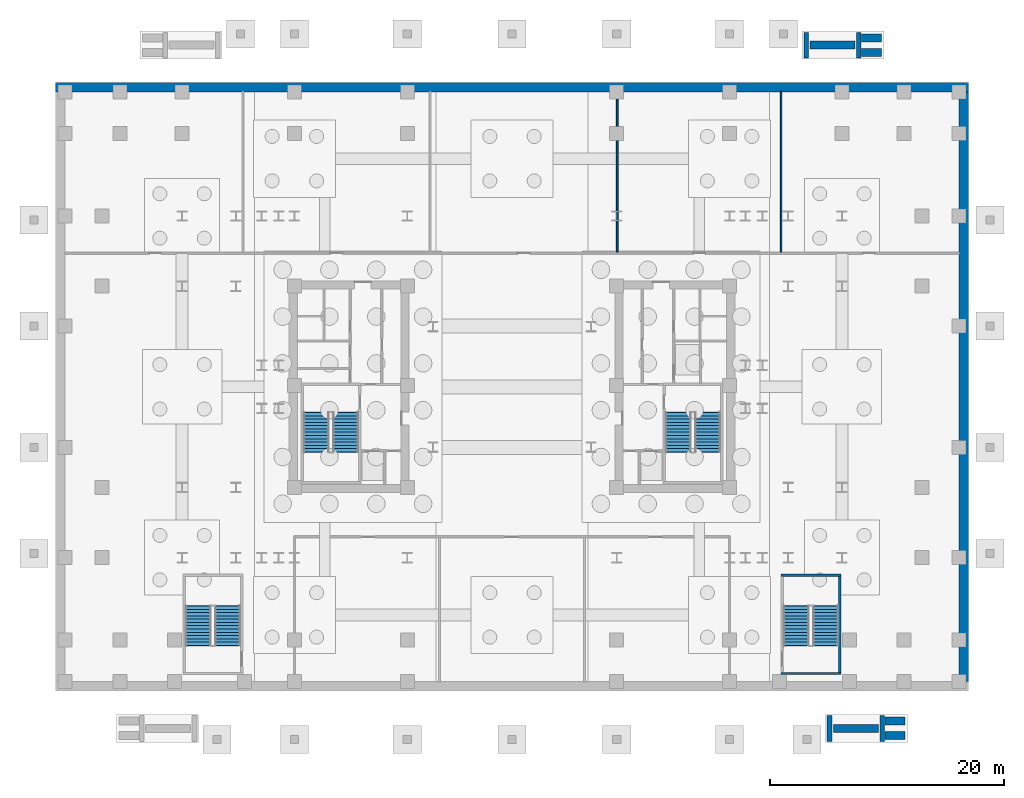
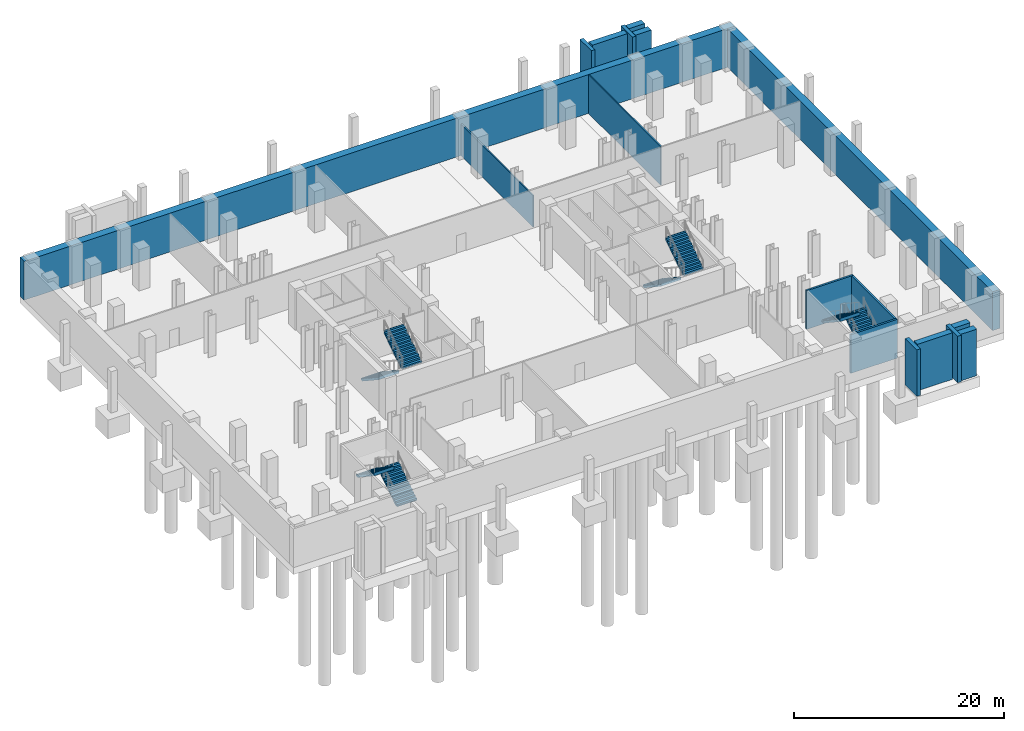
# One storey, part 7 of 10: 17 walls, 8 stair flights, 4 elements without a shape of their own.
"""IFC4 building model written with IfcOpenShell, lengths in metres."""

from ifc_helpers import new_model, si_unit, direction, frame, frame_2d, origin, place, context, subcontext, project, spatial, polyline, rectangle, outline, extrude, material, layer, layer_set, type_object, element, aggregate, save


model = new_model("IFC4")

# Units and contexts
model_context = context("Model", 3, precision=1e-05, world=origin(), true_north=direction((0.0, 1.0)))
body_context = subcontext(model_context, "Body", "Model", "MODEL_VIEW")
ifc_project = project(units=[si_unit("LENGTHUNIT", "METRE"), si_unit("AREAUNIT", "SQUARE_METRE"), si_unit("VOLUMEUNIT", "CUBIC_METRE"), si_unit("PLANEANGLEUNIT", "RADIAN"), si_unit("MASSUNIT", "GRAM", prefix="KILO")], contexts=[model_context])

# Site, building, storey
site_placement = place(None, origin())
site = spatial("IfcSite", under=ifc_project, at=site_placement, CompositionType="ELEMENT")
building_placement = place(site_placement, origin())
building = spatial("IfcBuilding", under=site, at=building_placement, Name="Velakula Bourse", CompositionType="ELEMENT")
storey_placement = place(building_placement, frame((0.0, 0.0, -9.60009765625)))
storey = spatial("IfcBuildingStorey", under=building, at=storey_placement, Name="B02", CompositionType="ELEMENT", Elevation=-9.60009765625)

# Walls
ifc_material_1 = material(Name="Concrete M50 (fck 50 MPa)", Category="concrete")
ifc_layer_1 = layer(ifc_material_1, 0.2099609375, Name="Concrete M50 (fck 50 MPa)", Category="concrete")
ifc_layer_set_1 = layer_set([ifc_layer_1], Name="Concrete M50 (fck 50 MPa)")
wall_type_1 = type_object("IfcWallType", Name="WL-CORE-210", PredefinedType="SHEAR", material=ifc_layer_set_1)
for number, where, z_axis, x_axis, name in (
    (1, (22.989990234375, -24.5048828125, 0.0), (0.0, 0.0, 1.0), (1.0, 0.0, 0.0), "B02 Podium Stair ST-P2 Shear Wall S"),
    (2, (22.989990234375, -16.094970703125, 0.0), (0.0, 0.0, 1.0), (1.0, 0.0, 0.0), "B02 Podium Stair ST-P2 Shear Wall N"),
):
    element("IfcWall", number, at=place(storey_placement, frame(where, z_axis=z_axis, x_axis=x_axis)), inside=storey, type_object=wall_type_1, Name=name, PredefinedType="SHEAR", context=body_context, shape_type="SweptSolid", body=[
        extrude(rectangle(XDim=5.139892578125, YDim=0.2099609375, at=frame_2d((2.56982421875, 0.0))), origin(), (0.0, 0.0, 1.0), 4.5),
    ])
wall_1_placement = place(storey_placement, frame((28.02490234375, -24.39990234375, 0.0), z_axis=(0.0, 0.0, 1.0), x_axis=(0.0, 1.0, 0.0)))
element("IfcWall", 3, at=wall_1_placement, inside=storey, type_object=wall_type_1, Name="B02 Podium Stair ST-P2 Shear Wall E", PredefinedType="SHEAR", context=body_context, shape_type="SweptSolid", body=[
    extrude(rectangle(XDim=8.199951171875, YDim=0.2099609375, at=frame_2d((4.10009765625, 0.0))), origin(), (0.0, 0.0, 1.0), 4.5),
])
ifc_material_2 = material(Name="Fire-rated double-layer gypsum drywall partition", Category="gypsum")
ifc_layer_2 = layer(ifc_material_2, 0.139892578125, Name="Fire-rated double-layer gypsum drywall partition", Category="gypsum")
ifc_layer_set_2 = layer_set([ifc_layer_2], Name="Fire-rated double-layer gypsum drywall partition")
wall_type_2 = type_object("IfcWallType", Name="WL-PART-140", PredefinedType="STANDARD", material=ifc_layer_set_2)
wall_2_placement = place(storey_placement, frame((9.0, 11.489990234375, 0.0), z_axis=(0.0, 0.0, 1.0), x_axis=(0.0, 1.0, 0.0)))
element("IfcWall", 4, at=wall_2_placement, inside=storey, type_object=wall_type_2, Name="B02 Interior Partition WL-POD-B02-ND3", PredefinedType="STANDARD", context=body_context, shape_type="SweptSolid", body=[
    extrude(rectangle(XDim=13.75, YDim=0.139892578125, at=frame_2d((6.875, 0.0))), origin(), (0.0, 0.0, 1.0), 3.675048828125),
])
wall_3_placement = place(storey_placement, frame((23.0, 11.489990234375, 0.0), z_axis=(0.0, 0.0, 1.0), x_axis=(0.0, 1.0, 0.0)))
element("IfcWall", 5, at=wall_3_placement, inside=storey, type_object=wall_type_2, Name="B02 Interior Partition WL-POD-B02-ND4", PredefinedType="STANDARD", context=body_context, shape_type="SweptSolid", body=[
    extrude(rectangle(XDim=13.75, YDim=0.139892578125, at=frame_2d((6.875, 0.0))), origin(), (0.0, 0.0, 1.0), 4.47998046875),
])
ifc_material_3 = material(Name="Concrete M70 (fck 70 MPa)", Category="concrete")
ifc_layer_3 = layer(ifc_material_3, 0.679931640625, Name="Concrete M70 (fck 70 MPa)", Category="concrete")
ifc_layer_set_3 = layer_set([ifc_layer_3], Name="Concrete M70 (fck 70 MPa)")
wall_type_3 = type_object("IfcWallType", Name="WL-RET-680", PredefinedType="SOLIDWALL", material=ifc_layer_set_3)
for number, where, z_axis, x_axis, name in (
    (6, (31.639892578125, -30.300048828125, -0.599853515625), (0.0, 0.0, 1.0), (0.0, 1.0, 0.0), "B02 Flood-Ramp BOT Abutment Wall SE"),
    (7, (27.139892578125, -30.300048828125, -0.599853515625), (0.0, 0.0, 1.0), (0.0, 1.0, 0.0), "B02 Flood-Ramp TOP Abutment Wall SE"),
):
    element("IfcWall", number, at=place(storey_placement, frame(where, z_axis=z_axis, x_axis=x_axis)), inside=storey, type_object=wall_type_3, Name=name, PredefinedType="SOLIDWALL", context=body_context, shape_type="SweptSolid", body=[
        extrude(rectangle(XDim=2.199951171875, YDim=0.39990234375, at=frame_2d((1.10009765625, 0.0))), origin(), (0.0, 0.0, 1.0), 5.39990234375),
    ])
wall_4_placement = place(storey_placement, frame((27.47998046875, -29.199951171875, -0.599853515625), z_axis=(0.0, 0.0, 1.0), x_axis=(1.0, 0.0, 0.0)))
element("IfcWall", 8, at=wall_4_placement, inside=storey, type_object=wall_type_3, Name="B02 Flood-Ramp Central Retaining Stem Wall SE", PredefinedType="SOLIDWALL", context=body_context, shape_type="SweptSolid", body=[
    extrude(rectangle(XDim=3.840087890625, YDim=0.679931640625, at=frame_2d((1.919921875, 0.0))), origin(), (0.0, 0.0, 1.0), 5.39990234375),
])
for number, where, z_axis, x_axis, name in (
    (9, (31.860107421875, -29.820068359375, -0.599853515625), (0.0, 0.0, 1.0), (1.0, 0.0, 0.0), "B02 Flood-Ramp Landing Stem Wall SE-1"),
    (10, (31.860107421875, -28.580078125, -0.599853515625), (0.0, 0.0, 1.0), (1.0, 0.0, 0.0), "B02 Flood-Ramp Landing Stem Wall SE-2"),
):
    element("IfcWall", number, at=place(storey_placement, frame(where, z_axis=z_axis, x_axis=x_axis)), inside=storey, type_object=wall_type_3, Name=name, PredefinedType="SOLIDWALL", context=body_context, shape_type="SweptSolid", body=[
        extrude(rectangle(XDim=1.739990234375, YDim=0.679931640625, at=frame_2d((0.8701171875, 0.0))), origin(), (0.0, 0.0, 1.0), 5.39990234375),
    ])
for number, where, z_axis, x_axis, name in (
    (11, (29.639892578125, 28.10009765625, -0.599853515625), (0.0, 0.0, 1.0), (0.0, 1.0, 0.0), "B02 Flood-Ramp BOT Abutment Wall NE"),
    (12, (25.139892578125, 28.10009765625, -0.599853515625), (0.0, 0.0, 1.0), (0.0, 1.0, 0.0), "B02 Flood-Ramp TOP Abutment Wall NE"),
):
    element("IfcWall", number, at=place(storey_placement, frame(where, z_axis=z_axis, x_axis=x_axis)), inside=storey, type_object=wall_type_3, Name=name, PredefinedType="SOLIDWALL", context=body_context, shape_type="SweptSolid", body=[
        extrude(rectangle(XDim=2.199951171875, YDim=0.39990234375, at=frame_2d((1.10009765625, 0.0))), origin(), (0.0, 0.0, 1.0), 5.39990234375),
    ])
wall_5_placement = place(storey_placement, frame((25.47998046875, 29.199951171875, -0.599853515625), z_axis=(0.0, 0.0, 1.0), x_axis=(1.0, 0.0, 0.0)))
element("IfcWall", 13, at=wall_5_placement, inside=storey, type_object=wall_type_3, Name="B02 Flood-Ramp Central Retaining Stem Wall NE", PredefinedType="SOLIDWALL", context=body_context, shape_type="SweptSolid", body=[
    extrude(rectangle(XDim=3.840087890625, YDim=0.679931640625, at=frame_2d((1.919921875, 0.0))), origin(), (0.0, 0.0, 1.0), 5.39990234375),
])
for number, where, z_axis, x_axis, name in (
    (14, (29.860107421875, 28.580078125, -0.599853515625), (0.0, 0.0, 1.0), (1.0, 0.0, 0.0), "B02 Flood-Ramp Landing Stem Wall NE-1"),
    (15, (29.860107421875, 29.820068359375, -0.599853515625), (0.0, 0.0, 1.0), (1.0, 0.0, 0.0), "B02 Flood-Ramp Landing Stem Wall NE-2"),
):
    element("IfcWall", number, at=place(storey_placement, frame(where, z_axis=z_axis, x_axis=x_axis)), inside=storey, type_object=wall_type_3, Name=name, PredefinedType="SOLIDWALL", context=body_context, shape_type="SweptSolid", body=[
        extrude(rectangle(XDim=1.739990234375, YDim=0.679931640625, at=frame_2d((0.8701171875, 0.0))), origin(), (0.0, 0.0, 1.0), 5.39990234375),
    ])
ifc_layer_4 = layer(ifc_material_3, 0.800048828125, Name="Concrete M70 (fck 70 MPa)", Category="concrete")
ifc_layer_set_4 = layer_set([ifc_layer_4], Name="Concrete M70 (fck 70 MPa)")
wall_type_4 = type_object("IfcWallType", Name="WL-RET-800", PredefinedType="SOLIDWALL", material=ifc_layer_set_4)
wall_6_placement = place(storey_placement, frame((39.0, 25.60009765625, 0.0), z_axis=(0.0, 0.0, 1.0), x_axis=(-1.0, 0.0, 0.0)))
element("IfcWall", 16, at=wall_6_placement, inside=storey, type_object=wall_type_4, Name="B02 Diaphragm Retaining Wall N", PredefinedType="SOLIDWALL", context=body_context, shape_type="SweptSolid", body=[
    extrude(rectangle(XDim=78.0, YDim=0.800048828125, at=frame_2d((39.0, 0.0))), origin(), (0.0, 0.0, 1.0), 4.5),
])
wall_7_placement = place(storey_placement, frame((38.60009765625, 25.199951171875, 0.0), z_axis=(0.0, 0.0, 1.0), x_axis=(0.0, -1.0, 0.0)))
element("IfcWall", 17, at=wall_7_placement, inside=storey, type_object=wall_type_4, Name="B02 Diaphragm Retaining Wall E", PredefinedType="SOLIDWALL", context=body_context, shape_type="SweptSolid", body=[
    extrude(rectangle(XDim=50.39990234375, YDim=0.800048828125, at=frame_2d((25.199951171875, 0.0))), origin(), (0.0, 0.0, 1.0), 4.5),
])

# Stair, stair flights
ifc_material_4 = material(Name="Concrete M45 (fck 45 MPa)", Category="concrete")
stair_type = type_object("IfcStairType", Name="STR-DOG-480", PredefinedType="HALF_TURN_STAIR", material=ifc_material_4)
stair_1_placement = place(storey_placement, origin())
stair_1 = element("IfcStair", 18, at=stair_1_placement, inside=storey, type_object=stair_type, Name="B02 West Core Exit Stair ST-W1", PredefinedType="HALF_TURN_STAIR")
ifc_layer_5 = layer(ifc_material_4, 0.199951171875, Name="Concrete M45 (fck 45 MPa)", Category="concrete")
ifc_layer_set_5 = layer_set([ifc_layer_5], Name="Concrete M45 (fck 45 MPa)")
stair_flight_type = type_object("IfcStairFlightType", Name="FLT-DOG-480", PredefinedType="STRAIGHT", material=ifc_layer_set_5)
stair_flight_1_placement = place(storey_placement, frame((-16.720947265625, -2.199951171875, 0.0), z_axis=(0.0, 0.0, 1.0), x_axis=(0.0, -1.0, 0.0)))
stair_flight_1 = element("IfcStairFlight", 19, at=stair_flight_1_placement, type_object=stair_flight_type, Name="ST-W1 flight 1", NumberOfRisers=13, NumberOfTreads=12, PredefinedType="STRAIGHT", RiserHeight=0.184615385, TreadLength=0.28, context=body_context, shape_type="SweptSolid", body=[
    extrude(outline(polyline([(-0.044921875, -0.0400390625), (-0.044921875, -0.036865234375), (-0.044921875, -0.033935546875), (-0.044921875, -0.03076171875), (-0.044921875, -0.027587890625), (-0.044921875, -0.024658203125), (-0.044921875, -0.021484375), (-0.044921875, -0.0185546875), (-0.044921875, -0.015380859375), (-0.044921875, -0.01220703125), (-0.044921875, -0.00927734375), (-0.044921875, -0.006103515625), (-0.044921875, -0.003173828125), (-0.044921875, 0.0), (0.0, 0.0), (0.0, 0.1845703125), (0.280029296875, 0.1845703125), (0.280029296875, 0.369140625), (0.56005859375, 0.369140625), (0.56005859375, 0.553955078125), (0.840087890625, 0.553955078125), (0.840087890625, 0.738525390625), (1.1201171875, 0.738525390625), (1.1201171875, 0.923095703125), (1.39990234375, 0.923095703125), (1.39990234375, 1.107666015625), (1.679931640625, 1.107666015625), (1.679931640625, 1.292236328125), (1.9599609375, 1.292236328125), (1.9599609375, 1.476806640625), (2.239990234375, 1.476806640625), (2.239990234375, 1.66162109375), (2.52001953125, 1.66162109375), (2.52001953125, 1.84619140625), (2.800048828125, 1.84619140625), (2.800048828125, 2.03076171875), (3.080078125, 2.03076171875), (3.080078125, 2.21533203125), (3.360107421875, 2.21533203125), (3.360107421875, 2.39990234375), (3.405029296875, 2.39990234375), (3.405029296875, 2.3740234375), (3.405029296875, 2.347900390625), (3.405029296875, 2.322021484375), (3.405029296875, 2.2958984375), (3.405029296875, 2.27001953125), (3.405029296875, 2.243896484375), (3.405029296875, 2.218017578125), (3.405029296875, 2.19189453125), (3.405029296875, 2.165771484375), (3.405029296875, 2.139892578125), (3.405029296875, 2.11376953125), (3.405029296875, 2.087890625), (3.405029296875, 2.061767578125), (3.405029296875, 2.035888671875), (0.272216796875, -0.0400390625), (-0.044921875, -0.0400390625)])), frame((0.0, 1.09912109375, 0.0), z_axis=(0.0, -1.0, 0.0), x_axis=(1.0, 0.0, 0.0)), (0.0, 0.0, 1.0), 2.197998046875),
])
stair_flight_2_placement = place(storey_placement, frame((-14.198974609375, -5.56005859375, 2.400146484375), z_axis=(0.0, 0.0, 1.0), x_axis=(0.0, 1.0, 0.0)))
stair_flight_2 = element("IfcStairFlight", 20, at=stair_flight_2_placement, type_object=stair_flight_type, Name="ST-W1 flight 2", NumberOfRisers=13, NumberOfTreads=12, PredefinedType="STRAIGHT", RiserHeight=0.184615385, TreadLength=0.28, context=body_context, shape_type="SweptSolid", body=[
    extrude(outline(polyline([(-0.044921875, -0.0400390625), (-0.044921875, -0.036865234375), (-0.044921875, -0.033935546875), (-0.044921875, -0.03076171875), (-0.044921875, -0.027587890625), (-0.044921875, -0.024658203125), (-0.044921875, -0.021484375), (-0.044921875, -0.0185546875), (-0.044921875, -0.015380859375), (-0.044921875, -0.01220703125), (-0.044921875, -0.00927734375), (-0.044921875, -0.006103515625), (-0.044921875, -0.003173828125), (-0.044921875, 0.0), (0.0, 0.0), (0.0, 0.1845703125), (0.280029296875, 0.1845703125), (0.280029296875, 0.369140625), (0.56005859375, 0.369140625), (0.56005859375, 0.553955078125), (0.840087890625, 0.553955078125), (0.840087890625, 0.738525390625), (1.1201171875, 0.738525390625), (1.1201171875, 0.923095703125), (1.39990234375, 0.923095703125), (1.39990234375, 1.107666015625), (1.679931640625, 1.107666015625), (1.679931640625, 1.292236328125), (1.9599609375, 1.292236328125), (1.9599609375, 1.476806640625), (2.239990234375, 1.476806640625), (2.239990234375, 1.66162109375), (2.52001953125, 1.66162109375), (2.52001953125, 1.84619140625), (2.800048828125, 1.84619140625), (2.800048828125, 2.03076171875), (3.080078125, 2.03076171875), (3.080078125, 2.21533203125), (3.360107421875, 2.21533203125), (3.360107421875, 2.39990234375), (3.405029296875, 2.39990234375), (3.405029296875, 2.3740234375), (3.405029296875, 2.347900390625), (3.405029296875, 2.322021484375), (3.405029296875, 2.2958984375), (3.405029296875, 2.27001953125), (3.405029296875, 2.243896484375), (3.405029296875, 2.218017578125), (3.405029296875, 2.19189453125), (3.405029296875, 2.165771484375), (3.405029296875, 2.139892578125), (3.405029296875, 2.11376953125), (3.405029296875, 2.087890625), (3.405029296875, 2.061767578125), (3.405029296875, 2.035888671875), (0.272216796875, -0.0400390625), (-0.044921875, -0.0400390625)])), frame((0.0, 1.09912109375, 0.0), z_axis=(0.0, -1.0, 0.0), x_axis=(1.0, 0.0, 0.0)), (0.0, 0.0, 1.0), 2.197998046875),
])
aggregate(stair_1, [stair_flight_1, stair_flight_2])

stair_2_placement = place(storey_placement, origin())
stair_2 = element("IfcStair", 21, at=stair_2_placement, inside=storey, type_object=stair_type, Name="B02 East Core Exit Stair ST-E1", PredefinedType="HALF_TURN_STAIR")
stair_flight_3_placement = place(storey_placement, frame((14.198974609375, -2.199951171875, 0.0), z_axis=(0.0, 0.0, 1.0), x_axis=(0.0, -1.0, 0.0)))
stair_flight_3 = element("IfcStairFlight", 22, at=stair_flight_3_placement, type_object=stair_flight_type, Name="ST-E1 flight 1", NumberOfRisers=13, NumberOfTreads=12, PredefinedType="STRAIGHT", RiserHeight=0.184615385, TreadLength=0.28, context=body_context, shape_type="SweptSolid", body=[
    extrude(outline(polyline([(-0.044921875, -0.0400390625), (-0.044921875, -0.036865234375), (-0.044921875, -0.033935546875), (-0.044921875, -0.03076171875), (-0.044921875, -0.027587890625), (-0.044921875, -0.024658203125), (-0.044921875, -0.021484375), (-0.044921875, -0.0185546875), (-0.044921875, -0.015380859375), (-0.044921875, -0.01220703125), (-0.044921875, -0.00927734375), (-0.044921875, -0.006103515625), (-0.044921875, -0.003173828125), (-0.044921875, 0.0), (0.0, 0.0), (0.0, 0.1845703125), (0.280029296875, 0.1845703125), (0.280029296875, 0.369140625), (0.56005859375, 0.369140625), (0.56005859375, 0.553955078125), (0.840087890625, 0.553955078125), (0.840087890625, 0.738525390625), (1.1201171875, 0.738525390625), (1.1201171875, 0.923095703125), (1.39990234375, 0.923095703125), (1.39990234375, 1.107666015625), (1.679931640625, 1.107666015625), (1.679931640625, 1.292236328125), (1.9599609375, 1.292236328125), (1.9599609375, 1.476806640625), (2.239990234375, 1.476806640625), (2.239990234375, 1.66162109375), (2.52001953125, 1.66162109375), (2.52001953125, 1.84619140625), (2.800048828125, 1.84619140625), (2.800048828125, 2.03076171875), (3.080078125, 2.03076171875), (3.080078125, 2.21533203125), (3.360107421875, 2.21533203125), (3.360107421875, 2.39990234375), (3.405029296875, 2.39990234375), (3.405029296875, 2.3740234375), (3.405029296875, 2.347900390625), (3.405029296875, 2.322021484375), (3.405029296875, 2.2958984375), (3.405029296875, 2.27001953125), (3.405029296875, 2.243896484375), (3.405029296875, 2.218017578125), (3.405029296875, 2.19189453125), (3.405029296875, 2.165771484375), (3.405029296875, 2.139892578125), (3.405029296875, 2.11376953125), (3.405029296875, 2.087890625), (3.405029296875, 2.061767578125), (3.405029296875, 2.035888671875), (0.272216796875, -0.0400390625), (-0.044921875, -0.0400390625)])), frame((0.0, 1.09912109375, 0.0), z_axis=(0.0, -1.0, 0.0), x_axis=(1.0, 0.0, 0.0)), (0.0, 0.0, 1.0), 2.197998046875),
])
stair_flight_4_placement = place(storey_placement, frame((16.720947265625, -5.56005859375, 2.400146484375), z_axis=(0.0, 0.0, 1.0), x_axis=(0.0, 1.0, 0.0)))
stair_flight_4 = element("IfcStairFlight", 23, at=stair_flight_4_placement, type_object=stair_flight_type, Name="ST-E1 flight 2", NumberOfRisers=13, NumberOfTreads=12, PredefinedType="STRAIGHT", RiserHeight=0.184615385, TreadLength=0.28, context=body_context, shape_type="SweptSolid", body=[
    extrude(outline(polyline([(-0.044921875, -0.0400390625), (-0.044921875, -0.036865234375), (-0.044921875, -0.033935546875), (-0.044921875, -0.03076171875), (-0.044921875, -0.027587890625), (-0.044921875, -0.024658203125), (-0.044921875, -0.021484375), (-0.044921875, -0.0185546875), (-0.044921875, -0.015380859375), (-0.044921875, -0.01220703125), (-0.044921875, -0.00927734375), (-0.044921875, -0.006103515625), (-0.044921875, -0.003173828125), (-0.044921875, 0.0), (0.0, 0.0), (0.0, 0.1845703125), (0.280029296875, 0.1845703125), (0.280029296875, 0.369140625), (0.56005859375, 0.369140625), (0.56005859375, 0.553955078125), (0.840087890625, 0.553955078125), (0.840087890625, 0.738525390625), (1.1201171875, 0.738525390625), (1.1201171875, 0.923095703125), (1.39990234375, 0.923095703125), (1.39990234375, 1.107666015625), (1.679931640625, 1.107666015625), (1.679931640625, 1.292236328125), (1.9599609375, 1.292236328125), (1.9599609375, 1.476806640625), (2.239990234375, 1.476806640625), (2.239990234375, 1.66162109375), (2.52001953125, 1.66162109375), (2.52001953125, 1.84619140625), (2.800048828125, 1.84619140625), (2.800048828125, 2.03076171875), (3.080078125, 2.03076171875), (3.080078125, 2.21533203125), (3.360107421875, 2.21533203125), (3.360107421875, 2.39990234375), (3.405029296875, 2.39990234375), (3.405029296875, 2.3740234375), (3.405029296875, 2.347900390625), (3.405029296875, 2.322021484375), (3.405029296875, 2.2958984375), (3.405029296875, 2.27001953125), (3.405029296875, 2.243896484375), (3.405029296875, 2.218017578125), (3.405029296875, 2.19189453125), (3.405029296875, 2.165771484375), (3.405029296875, 2.139892578125), (3.405029296875, 2.11376953125), (3.405029296875, 2.087890625), (3.405029296875, 2.061767578125), (3.405029296875, 2.035888671875), (0.272216796875, -0.0400390625), (-0.044921875, -0.0400390625)])), frame((0.0, 1.09912109375, 0.0), z_axis=(0.0, -1.0, 0.0), x_axis=(1.0, 0.0, 0.0)), (0.0, 0.0, 1.0), 2.197998046875),
])
aggregate(stair_2, [stair_flight_3, stair_flight_4])

stair_3_placement = place(storey_placement, origin())
stair_3 = element("IfcStair", 24, at=stair_3_placement, inside=storey, type_object=stair_type, Name="B02 West Podium Exit Stair ST-P1", PredefinedType="HALF_TURN_STAIR")
stair_flight_5_placement = place(storey_placement, frame((-24.299072265625, -22.10009765625, 0.0), z_axis=(0.0, 0.0, 1.0), x_axis=(0.0, 1.0, 0.0)))
stair_flight_5 = element("IfcStairFlight", 25, at=stair_flight_5_placement, type_object=stair_flight_type, Name="ST-P1 flight 1", NumberOfRisers=13, NumberOfTreads=12, PredefinedType="STRAIGHT", RiserHeight=0.184615385, TreadLength=0.28, context=body_context, shape_type="SweptSolid", body=[
    extrude(outline(polyline([(-0.044921875, -0.0400390625), (-0.044921875, -0.036865234375), (-0.044921875, -0.033935546875), (-0.044921875, -0.03076171875), (-0.044921875, -0.027587890625), (-0.044921875, -0.024658203125), (-0.044921875, -0.021484375), (-0.044921875, -0.0185546875), (-0.044921875, -0.015380859375), (-0.044921875, -0.01220703125), (-0.044921875, -0.00927734375), (-0.044921875, -0.006103515625), (-0.044921875, -0.003173828125), (-0.044921875, 0.0), (0.0, 0.0), (0.0, 0.1845703125), (0.280029296875, 0.1845703125), (0.280029296875, 0.369140625), (0.56005859375, 0.369140625), (0.56005859375, 0.553955078125), (0.840087890625, 0.553955078125), (0.840087890625, 0.738525390625), (1.1201171875, 0.738525390625), (1.1201171875, 0.923095703125), (1.39990234375, 0.923095703125), (1.39990234375, 1.107666015625), (1.679931640625, 1.107666015625), (1.679931640625, 1.292236328125), (1.9599609375, 1.292236328125), (1.9599609375, 1.476806640625), (2.239990234375, 1.476806640625), (2.239990234375, 1.66162109375), (2.52001953125, 1.66162109375), (2.52001953125, 1.84619140625), (2.800048828125, 1.84619140625), (2.800048828125, 2.03076171875), (3.080078125, 2.03076171875), (3.080078125, 2.21533203125), (3.360107421875, 2.21533203125), (3.360107421875, 2.39990234375), (3.405029296875, 2.39990234375), (3.405029296875, 2.3740234375), (3.405029296875, 2.347900390625), (3.405029296875, 2.322021484375), (3.405029296875, 2.2958984375), (3.405029296875, 2.27001953125), (3.405029296875, 2.243896484375), (3.405029296875, 2.218017578125), (3.405029296875, 2.19189453125), (3.405029296875, 2.165771484375), (3.405029296875, 2.139892578125), (3.405029296875, 2.11376953125), (3.405029296875, 2.087890625), (3.405029296875, 2.061767578125), (3.405029296875, 2.035888671875), (0.272216796875, -0.0400390625), (-0.044921875, -0.0400390625)])), frame((0.0, 1.09912109375, 0.0), z_axis=(0.0, -1.0, 0.0), x_axis=(1.0, 0.0, 0.0)), (0.0, 0.0, 1.0), 2.197998046875),
])
stair_flight_6_placement = place(storey_placement, frame((-26.821044921875, -18.739990234375, 2.400146484375), z_axis=(0.0, 0.0, 1.0), x_axis=(0.0, -1.0, 0.0)))
stair_flight_6 = element("IfcStairFlight", 26, at=stair_flight_6_placement, type_object=stair_flight_type, Name="ST-P1 flight 2", NumberOfRisers=13, NumberOfTreads=12, PredefinedType="STRAIGHT", RiserHeight=0.184615385, TreadLength=0.28, context=body_context, shape_type="SweptSolid", body=[
    extrude(outline(polyline([(-0.044921875, -0.0400390625), (-0.044921875, -0.036865234375), (-0.044921875, -0.033935546875), (-0.044921875, -0.03076171875), (-0.044921875, -0.027587890625), (-0.044921875, -0.024658203125), (-0.044921875, -0.021484375), (-0.044921875, -0.0185546875), (-0.044921875, -0.015380859375), (-0.044921875, -0.01220703125), (-0.044921875, -0.00927734375), (-0.044921875, -0.006103515625), (-0.044921875, -0.003173828125), (-0.044921875, 0.0), (0.0, 0.0), (0.0, 0.1845703125), (0.280029296875, 0.1845703125), (0.280029296875, 0.369140625), (0.56005859375, 0.369140625), (0.56005859375, 0.553955078125), (0.840087890625, 0.553955078125), (0.840087890625, 0.738525390625), (1.1201171875, 0.738525390625), (1.1201171875, 0.923095703125), (1.39990234375, 0.923095703125), (1.39990234375, 1.107666015625), (1.679931640625, 1.107666015625), (1.679931640625, 1.292236328125), (1.9599609375, 1.292236328125), (1.9599609375, 1.476806640625), (2.239990234375, 1.476806640625), (2.239990234375, 1.66162109375), (2.52001953125, 1.66162109375), (2.52001953125, 1.84619140625), (2.800048828125, 1.84619140625), (2.800048828125, 2.03076171875), (3.080078125, 2.03076171875), (3.080078125, 2.21533203125), (3.360107421875, 2.21533203125), (3.360107421875, 2.39990234375), (3.405029296875, 2.39990234375), (3.405029296875, 2.3740234375), (3.405029296875, 2.347900390625), (3.405029296875, 2.322021484375), (3.405029296875, 2.2958984375), (3.405029296875, 2.27001953125), (3.405029296875, 2.243896484375), (3.405029296875, 2.218017578125), (3.405029296875, 2.19189453125), (3.405029296875, 2.165771484375), (3.405029296875, 2.139892578125), (3.405029296875, 2.11376953125), (3.405029296875, 2.087890625), (3.405029296875, 2.061767578125), (3.405029296875, 2.035888671875), (0.272216796875, -0.0400390625), (-0.044921875, -0.0400390625)])), frame((0.0, 1.09912109375, 0.0), z_axis=(0.0, -1.0, 0.0), x_axis=(1.0, 0.0, 0.0)), (0.0, 0.0, 1.0), 2.197998046875),
])
aggregate(stair_3, [stair_flight_5, stair_flight_6])

stair_4_placement = place(storey_placement, origin())
stair_4 = element("IfcStair", 27, at=stair_4_placement, inside=storey, type_object=stair_type, Name="B02 East Podium Exit Stair ST-P2", PredefinedType="HALF_TURN_STAIR")
stair_flight_7_placement = place(storey_placement, frame((26.821044921875, -22.10009765625, 0.0), z_axis=(0.0, 0.0, 1.0), x_axis=(0.0, 1.0, 0.0)))
stair_flight_7 = element("IfcStairFlight", 28, at=stair_flight_7_placement, type_object=stair_flight_type, Name="ST-P2 flight 1", NumberOfRisers=13, NumberOfTreads=12, PredefinedType="STRAIGHT", RiserHeight=0.184615385, TreadLength=0.28, context=body_context, shape_type="SweptSolid", body=[
    extrude(outline(polyline([(-0.044921875, -0.0400390625), (-0.044921875, -0.036865234375), (-0.044921875, -0.033935546875), (-0.044921875, -0.03076171875), (-0.044921875, -0.027587890625), (-0.044921875, -0.024658203125), (-0.044921875, -0.021484375), (-0.044921875, -0.0185546875), (-0.044921875, -0.015380859375), (-0.044921875, -0.01220703125), (-0.044921875, -0.00927734375), (-0.044921875, -0.006103515625), (-0.044921875, -0.003173828125), (-0.044921875, 0.0), (0.0, 0.0), (0.0, 0.1845703125), (0.280029296875, 0.1845703125), (0.280029296875, 0.369140625), (0.56005859375, 0.369140625), (0.56005859375, 0.553955078125), (0.840087890625, 0.553955078125), (0.840087890625, 0.738525390625), (1.1201171875, 0.738525390625), (1.1201171875, 0.923095703125), (1.39990234375, 0.923095703125), (1.39990234375, 1.107666015625), (1.679931640625, 1.107666015625), (1.679931640625, 1.292236328125), (1.9599609375, 1.292236328125), (1.9599609375, 1.476806640625), (2.239990234375, 1.476806640625), (2.239990234375, 1.66162109375), (2.52001953125, 1.66162109375), (2.52001953125, 1.84619140625), (2.800048828125, 1.84619140625), (2.800048828125, 2.03076171875), (3.080078125, 2.03076171875), (3.080078125, 2.21533203125), (3.360107421875, 2.21533203125), (3.360107421875, 2.39990234375), (3.405029296875, 2.39990234375), (3.405029296875, 2.3740234375), (3.405029296875, 2.347900390625), (3.405029296875, 2.322021484375), (3.405029296875, 2.2958984375), (3.405029296875, 2.27001953125), (3.405029296875, 2.243896484375), (3.405029296875, 2.218017578125), (3.405029296875, 2.19189453125), (3.405029296875, 2.165771484375), (3.405029296875, 2.139892578125), (3.405029296875, 2.11376953125), (3.405029296875, 2.087890625), (3.405029296875, 2.061767578125), (3.405029296875, 2.035888671875), (0.272216796875, -0.0400390625), (-0.044921875, -0.0400390625)])), frame((0.0, 1.09912109375, 0.0), z_axis=(0.0, -1.0, 0.0), x_axis=(1.0, 0.0, 0.0)), (0.0, 0.0, 1.0), 2.197998046875),
])
stair_flight_8_placement = place(storey_placement, frame((24.299072265625, -18.739990234375, 2.400146484375), z_axis=(0.0, 0.0, 1.0), x_axis=(0.0, -1.0, 0.0)))
stair_flight_8 = element("IfcStairFlight", 29, at=stair_flight_8_placement, type_object=stair_flight_type, Name="ST-P2 flight 2", NumberOfRisers=13, NumberOfTreads=12, PredefinedType="STRAIGHT", RiserHeight=0.184615385, TreadLength=0.28, context=body_context, shape_type="SweptSolid", body=[
    extrude(outline(polyline([(-0.044921875, -0.0400390625), (-0.044921875, -0.036865234375), (-0.044921875, -0.033935546875), (-0.044921875, -0.03076171875), (-0.044921875, -0.027587890625), (-0.044921875, -0.024658203125), (-0.044921875, -0.021484375), (-0.044921875, -0.0185546875), (-0.044921875, -0.015380859375), (-0.044921875, -0.01220703125), (-0.044921875, -0.00927734375), (-0.044921875, -0.006103515625), (-0.044921875, -0.003173828125), (-0.044921875, 0.0), (0.0, 0.0), (0.0, 0.1845703125), (0.280029296875, 0.1845703125), (0.280029296875, 0.369140625), (0.56005859375, 0.369140625), (0.56005859375, 0.553955078125), (0.840087890625, 0.553955078125), (0.840087890625, 0.738525390625), (1.1201171875, 0.738525390625), (1.1201171875, 0.923095703125), (1.39990234375, 0.923095703125), (1.39990234375, 1.107666015625), (1.679931640625, 1.107666015625), (1.679931640625, 1.292236328125), (1.9599609375, 1.292236328125), (1.9599609375, 1.476806640625), (2.239990234375, 1.476806640625), (2.239990234375, 1.66162109375), (2.52001953125, 1.66162109375), (2.52001953125, 1.84619140625), (2.800048828125, 1.84619140625), (2.800048828125, 2.03076171875), (3.080078125, 2.03076171875), (3.080078125, 2.21533203125), (3.360107421875, 2.21533203125), (3.360107421875, 2.39990234375), (3.405029296875, 2.39990234375), (3.405029296875, 2.3740234375), (3.405029296875, 2.347900390625), (3.405029296875, 2.322021484375), (3.405029296875, 2.2958984375), (3.405029296875, 2.27001953125), (3.405029296875, 2.243896484375), (3.405029296875, 2.218017578125), (3.405029296875, 2.19189453125), (3.405029296875, 2.165771484375), (3.405029296875, 2.139892578125), (3.405029296875, 2.11376953125), (3.405029296875, 2.087890625), (3.405029296875, 2.061767578125), (3.405029296875, 2.035888671875), (0.272216796875, -0.0400390625), (-0.044921875, -0.0400390625)])), frame((0.0, 1.09912109375, 0.0), z_axis=(0.0, -1.0, 0.0), x_axis=(1.0, 0.0, 0.0)), (0.0, 0.0, 1.0), 2.197998046875),
])
aggregate(stair_4, [stair_flight_7, stair_flight_8])

save(model, "model.ifc")
